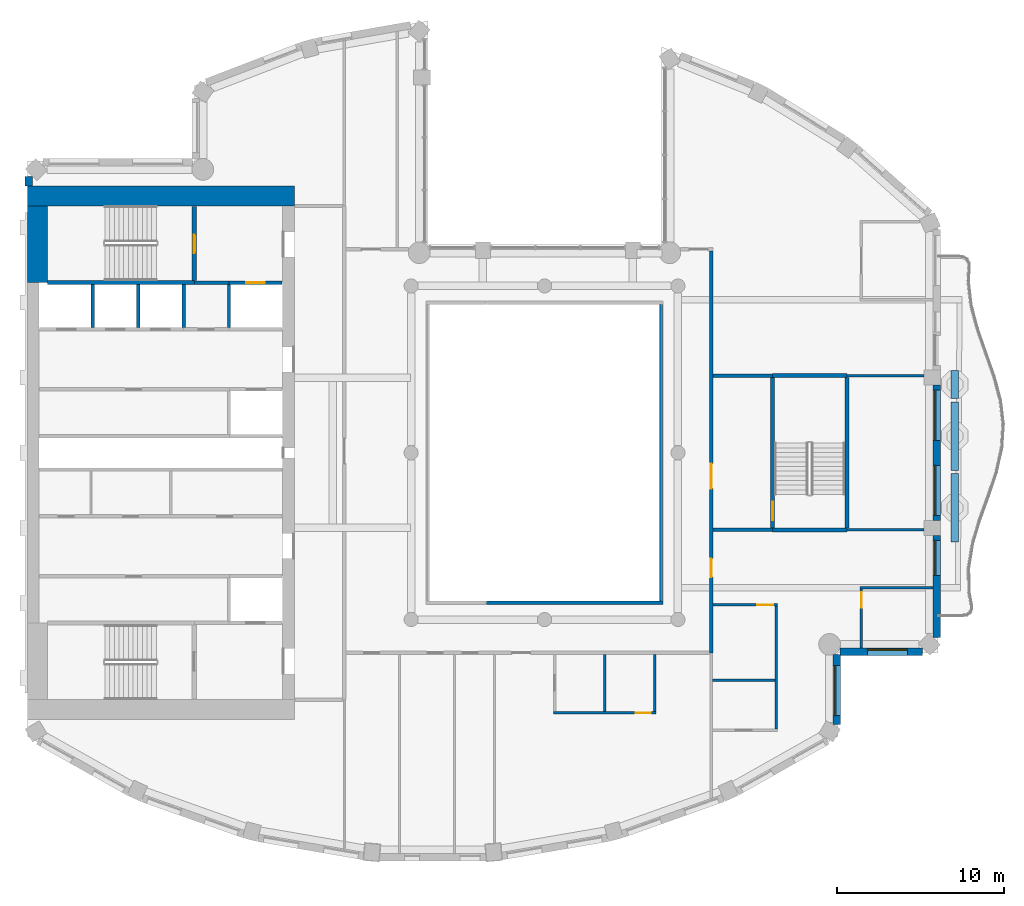
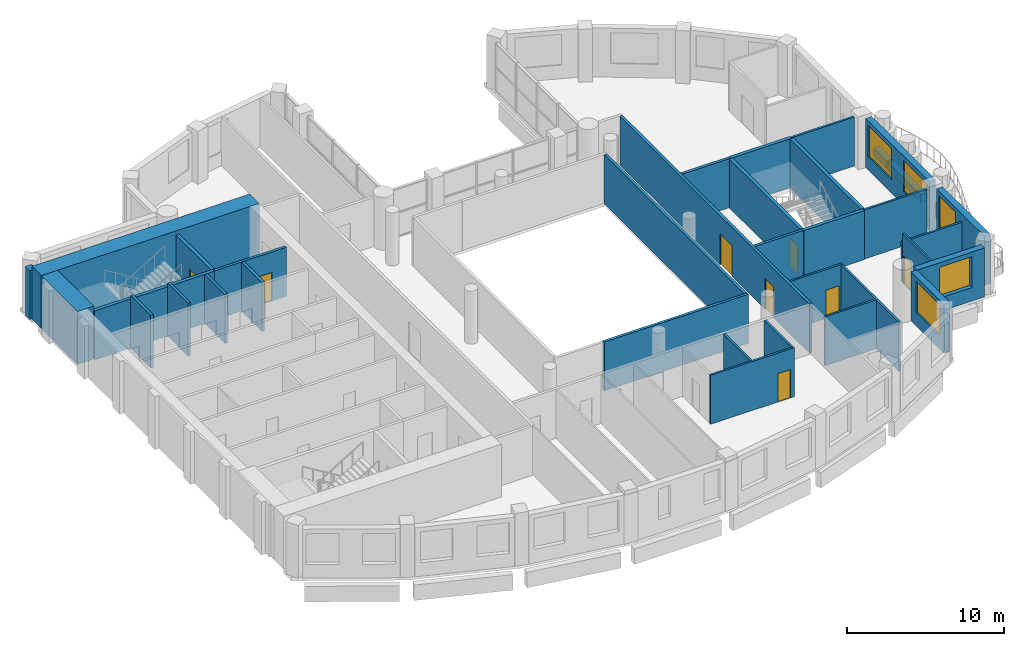
# One storey, part 6 of 14: 37 walls, 8 doors, 5 windows, 13 openings.
"""IFC4 building model written with IfcOpenShell, lengths in metres."""

from ifc_helpers import new_model, si_unit, direction, frame, frame_2d, origin, place, context, subcontext, project, spatial, rectangle, extrude, material, layer, layer_set, type_object, element, fill, save


model = new_model("IFC4")

# Units and contexts
model_context = context("Model", 3, precision=1e-05, world=origin(), true_north=direction((0.0, 1.0)))
body_context = subcontext(model_context, "Body", "Model", "MODEL_VIEW")
ifc_project = project(units=[si_unit("LENGTHUNIT", "METRE"), si_unit("AREAUNIT", "SQUARE_METRE"), si_unit("VOLUMEUNIT", "CUBIC_METRE"), si_unit("PLANEANGLEUNIT", "RADIAN"), si_unit("MASSUNIT", "GRAM", prefix="KILO")], contexts=[model_context])

# Site, building, storey
site_placement = place(None, origin())
site = spatial("IfcSite", under=ifc_project, at=site_placement, CompositionType="ELEMENT")
building_placement = place(site_placement, origin())
building = spatial("IfcBuilding", under=site, at=building_placement, Name="Cypress Arch Tower", CompositionType="ELEMENT")
storey_placement = place(building_placement, frame((0.0, 0.0, 280.300048828125)))
storey = spatial("IfcBuildingStorey", under=building, at=storey_placement, Name="L63", CompositionType="ELEMENT", Elevation=280.300048828125)

# Walls
ifc_material_1 = material(Name="Concrete C40/50, waterproofed", Category="concrete")
ifc_layer_1 = layer(ifc_material_1, 0.449951171875)
ifc_layer_set_1 = layer_set([ifc_layer_1], Name="Balcony planter wall PW450")
wall_type_1 = type_object("IfcWallType", Name="Balcony planter wall PW450", PredefinedType="SOLIDWALL", material=ifc_layer_set_1)
for number, where, z_axis, x_axis, name in (
    (1, (25.60009765625, -5.35009765625, 0.0), (0.0, 0.0, 1.0), (0.0, 1.0, 0.0), "Balcony planter wall L63-C17.1"),
    (2, (25.60009765625, -1.050048828125, 0.0), (0.0, 0.0, 1.0), (0.0, 1.0, 0.0), "Balcony planter wall L63-C17.2"),
):
    element("IfcWall", number, at=place(storey_placement, frame(where, z_axis=z_axis, x_axis=x_axis)), inside=storey, type_object=wall_type_1, Name=name, PredefinedType="SOLIDWALL", context=body_context, shape_type="SweptSolid", body=[
        extrude(rectangle(XDim=4.10009765625, YDim=0.449951171875, at=frame_2d((2.050048828125, 0.0))), origin(), (0.0, 0.0, 1.0), 0.599853515625),
    ])
wall_1_placement = place(storey_placement, frame((25.60009765625, 3.25, 0.0), z_axis=(0.0, 0.0, 1.0), x_axis=(0.0, 1.0, 0.0)))
element("IfcWall", 3, at=wall_1_placement, inside=storey, type_object=wall_type_1, Name="Balcony planter wall L63-C17.3", PredefinedType="SOLIDWALL", context=body_context, shape_type="SweptSolid", body=[
    extrude(rectangle(XDim=1.69140625, YDim=0.449951171875, at=frame_2d((0.845703125, 0.0))), origin(), (0.0, 0.0, 1.0), 0.599853515625),
])
ifc_material_2 = material(Name="Brick (red buff blend)", Category="masonry")
ifc_layer_2 = layer(ifc_material_2, 0.449951171875)
ifc_layer_set_2 = layer_set([ifc_layer_2], Name="Brick pier and spandrel wall BW450")
wall_type_2 = type_object("IfcWallType", Name="Brick pier and spandrel wall BW450", PredefinedType="SOLIDWALL", material=ifc_layer_set_2)
wall_2_placement = place(storey_placement, frame((-29.925048828125, 16.563720703125, 0.0), z_axis=(0.0, 0.0, 1.0), x_axis=(0.0, -1.0, 0.0)))
element("IfcWall", 4, at=wall_2_placement, inside=storey, type_object=wall_type_2, Name="Brick wall L63 C07.0", PredefinedType="SOLIDWALL", context=body_context, shape_type="SweptSolid", body=[
    extrude(rectangle(XDim=0.563720703125, YDim=0.449951171875, at=frame_2d((0.28173828125, 0.0))), origin(), (0.0, 0.0, 1.0), 3.800048828125),
])

# Wall, opening, window
wall_3_placement = place(storey_placement, frame((18.52490234375, -16.3037109375, 0.0), z_axis=(0.0, 0.0, 1.0), x_axis=(0.0, 1.0, 0.0)))
wall_3 = element("IfcWall", 5, at=wall_3_placement, inside=storey, type_object=wall_type_2, Name="Brick wall L63 C15.0", PredefinedType="SOLIDWALL", context=body_context, shape_type="SweptSolid", body=[
    extrude(rectangle(XDim=4.2021484375, YDim=0.449951171875, at=frame_2d((2.10107421875, 0.0))), origin(), (0.0, 0.0, 1.0), 3.800048828125),
])
opening_1_placement = place(wall_3_placement, frame((0.541259765625, 0.0, 1.050048828125)))
opening_1 = element("IfcOpeningElement", 6, at=opening_1_placement, cuts=wall_3, Name="Opening W300O", PredefinedType="OPENING", context=body_context, shape_type="SweptSolid", body=[
    extrude(rectangle(XDim=3.0, YDim=2.39990234375, at=frame_2d((1.5, 1.199951171875))), frame((0.0, 0.23486328125, 0.0), z_axis=(0.0, -1.0, 0.0), x_axis=(1.0, 0.0, 0.0)), (0.0, 0.0, 1.0), 0.469970703125),
])
ifc_material_3 = material(Name="Anodised aluminium, bronze finish, clear low-emissivity double glazing", Category="aluminium")
window_type_1 = type_object("IfcWindowType", Name="Window Office 3000x2400", PartitioningType="SINGLE_PANEL", PredefinedType="WINDOW", material=ifc_material_3)
window_1_placement = place(opening_1_placement, origin())
window_1 = element("IfcWindow", 7, at=window_1_placement, inside=storey, type_object=window_type_1, Name="Window L63 C15.0.1", OverallHeight=2.39990234375, OverallWidth=3.0, PartitioningType="SINGLE_PANEL", PredefinedType="WINDOW", context=body_context, shape_type="SweptSolid", body=[
    extrude(rectangle(XDim=3.0, YDim=2.39990234375, at=frame_2d((1.5, 1.199951171875))), frame((0.0, 0.135009765625, 0.0), z_axis=(0.0, -1.0, 0.0), x_axis=(1.0, 0.0, 0.0)), (0.0, 0.0, 1.0), 0.06005859375),
])
fill(opening_1, window_1)

wall_4_placement = place(storey_placement, frame((18.701416015625, -11.925048828125, 0.0), z_axis=(0.0, 0.0, 1.0), x_axis=(1.0, 0.0, 0.0)))
wall_4 = element("IfcWall", 8, at=wall_4_placement, inside=storey, type_object=wall_type_2, Name="Brick wall L63 C16.0", PredefinedType="SOLIDWALL", context=body_context, shape_type="SweptSolid", body=[
    extrude(rectangle(XDim=4.962158203125, YDim=0.449951171875, at=frame_2d((2.48095703125, 0.0))), origin(), (0.0, 0.0, 1.0), 3.800048828125),
])
opening_2_placement = place(wall_4_placement, frame((1.6484375, 0.0, 1.050048828125)))
opening_2 = element("IfcOpeningElement", 9, at=opening_2_placement, cuts=wall_4, Name="Opening W240O", PredefinedType="OPENING", context=body_context, shape_type="SweptSolid", body=[
    extrude(rectangle(XDim=2.39990234375, YDim=2.39990234375, at=frame_2d((1.199951171875, 1.199951171875))), frame((0.0, 0.23486328125, 0.0), z_axis=(0.0, -1.0, 0.0), x_axis=(1.0, 0.0, 0.0)), (0.0, 0.0, 1.0), 0.469970703125),
])
ifc_material_4 = material(Name="Anodised aluminium, bronze finish, clear low-emissivity double glazing", Category="aluminium")
window_type_2 = type_object("IfcWindowType", Name="Window Office 2400x2400", PartitioningType="SINGLE_PANEL", PredefinedType="WINDOW", material=ifc_material_4)
window_2_placement = place(opening_2_placement, origin())
window_2 = element("IfcWindow", 10, at=window_2_placement, inside=storey, type_object=window_type_2, Name="Window L63 C16.0.1", OverallHeight=2.39990234375, OverallWidth=2.39990234375, PartitioningType="SINGLE_PANEL", PredefinedType="WINDOW", context=body_context, shape_type="SweptSolid", body=[
    extrude(rectangle(XDim=2.39990234375, YDim=2.39990234375, at=frame_2d((1.199951171875, 1.199951171875))), frame((0.0, 0.135009765625, 0.0), z_axis=(0.0, -1.0, 0.0), x_axis=(1.0, 0.0, 0.0)), (0.0, 0.0, 1.0), 0.06005859375),
])
fill(opening_2, window_2)

wall_5_placement = place(storey_placement, frame((24.52490234375, -11.063720703125, 0.0), z_axis=(0.0, 0.0, 1.0), x_axis=(0.0, 1.0, 0.0)))
wall_5 = element("IfcWall", 11, at=wall_5_placement, inside=storey, type_object=wall_type_2, Name="Brick wall L63 C17.0", PredefinedType="SOLIDWALL", context=body_context, shape_type="SweptSolid", body=[
    extrude(rectangle(XDim=6.11376953125, YDim=0.449951171875, at=frame_2d((3.056884765625, 0.0))), origin(), (0.0, 0.0, 1.0), 3.800048828125),
])
opening_3_placement = place(wall_5_placement, frame((3.713623046875, 0.0, 1.050048828125)))
opening_3 = element("IfcOpeningElement", 12, at=opening_3_placement, cuts=wall_5, Name="Opening W210OD", PredefinedType="OPENING", context=body_context, shape_type="SweptSolid", body=[
    extrude(rectangle(XDim=2.10009765625, YDim=2.39990234375, at=frame_2d((1.050048828125, 1.199951171875))), frame((0.0, 0.23486328125, 0.0), z_axis=(0.0, -1.0, 0.0), x_axis=(1.0, 0.0, 0.0)), (0.0, 0.0, 1.0), 0.469970703125),
])
ifc_material_5 = material(Name="Anodised aluminium, bronze finish, laminated low-emissivity double glazing, large-missile impact rated", Category="aluminium")
window_type_3 = type_object("IfcWindowType", Name="Window Office 2100x2400 debris-rated", PartitioningType="SINGLE_PANEL", PredefinedType="WINDOW", material=ifc_material_5)
window_3_placement = place(opening_3_placement, origin())
window_3 = element("IfcWindow", 13, at=window_3_placement, inside=storey, type_object=window_type_3, Name="Window L63 C17.0.2", OverallHeight=2.39990234375, OverallWidth=2.10009765625, PartitioningType="SINGLE_PANEL", PredefinedType="WINDOW", context=body_context, shape_type="SweptSolid", body=[
    extrude(rectangle(XDim=2.10009765625, YDim=2.39990234375, at=frame_2d((1.050048828125, 1.199951171875))), frame((0.0, 0.135009765625, 0.0), z_axis=(0.0, -1.0, 0.0), x_axis=(1.0, 0.0, 0.0)), (0.0, 0.0, 1.0), 0.06005859375),
])
fill(opening_3, window_3)

# Wall, openings, windows
wall_6_placement = place(storey_placement, frame((24.52490234375, -4.050048828125, 0.0), z_axis=(0.0, 0.0, 1.0), x_axis=(0.0, 1.0, 0.0)))
wall_6 = element("IfcWall", 14, at=wall_6_placement, inside=storey, type_object=wall_type_2, Name="Brick wall L63 C17.1", PredefinedType="SOLIDWALL", context=body_context, shape_type="SweptSolid", body=[
    extrude(rectangle(XDim=8.10009765625, YDim=0.449951171875, at=frame_2d((4.050048828125, 0.0))), origin(), (0.0, 0.0, 1.0), 3.800048828125),
])
opening_4_placement = place(wall_6_placement, frame((0.300048828125, 0.0, 1.050048828125)))
opening_4 = element("IfcOpeningElement", 15, at=opening_4_placement, cuts=wall_6, Name="Opening W300OD", PredefinedType="OPENING", context=body_context, shape_type="SweptSolid", body=[
    extrude(rectangle(XDim=3.0, YDim=2.39990234375, at=frame_2d((1.5, 1.199951171875))), frame((0.0, 0.23486328125, 0.0), z_axis=(0.0, -1.0, 0.0), x_axis=(1.0, 0.0, 0.0)), (0.0, 0.0, 1.0), 0.469970703125),
])
opening_5_placement = place(wall_6_placement, frame((4.800048828125, 0.0, 1.050048828125)))
opening_5 = element("IfcOpeningElement", 16, at=opening_5_placement, cuts=wall_6, Name="Opening W300OD", PredefinedType="OPENING", context=body_context, shape_type="SweptSolid", body=[
    extrude(rectangle(XDim=3.0, YDim=2.39990234375, at=frame_2d((1.5, 1.199951171875))), frame((0.0, 0.23486328125, 0.0), z_axis=(0.0, -1.0, 0.0), x_axis=(1.0, 0.0, 0.0)), (0.0, 0.0, 1.0), 0.469970703125),
])
ifc_material_6 = material(Name="Anodised aluminium, bronze finish, laminated low-emissivity double glazing, large-missile impact rated", Category="aluminium")
window_type_4 = type_object("IfcWindowType", Name="Window Office 3000x2400 debris-rated", PartitioningType="SINGLE_PANEL", PredefinedType="WINDOW", material=ifc_material_6)
window_4_placement = place(opening_4_placement, origin())
window_4 = element("IfcWindow", 17, at=window_4_placement, inside=storey, type_object=window_type_4, Name="Window L63 C17.1.1", OverallHeight=2.39990234375, OverallWidth=3.0, PartitioningType="SINGLE_PANEL", PredefinedType="WINDOW", context=body_context, shape_type="SweptSolid", body=[
    extrude(rectangle(XDim=3.0, YDim=2.39990234375, at=frame_2d((1.5, 1.199951171875))), frame((0.0, 0.135009765625, 0.0), z_axis=(0.0, -1.0, 0.0), x_axis=(1.0, 0.0, 0.0)), (0.0, 0.0, 1.0), 0.06005859375),
])
fill(opening_4, window_4)
window_5_placement = place(opening_5_placement, origin())
window_5 = element("IfcWindow", 18, at=window_5_placement, inside=storey, type_object=window_type_4, Name="Window L63 C17.1.2", OverallHeight=2.39990234375, OverallWidth=3.0, PartitioningType="SINGLE_PANEL", PredefinedType="WINDOW", context=body_context, shape_type="SweptSolid", body=[
    extrude(rectangle(XDim=3.0, YDim=2.39990234375, at=frame_2d((1.5, 1.199951171875))), frame((0.0, 0.135009765625, 0.0), z_axis=(0.0, -1.0, 0.0), x_axis=(1.0, 0.0, 0.0)), (0.0, 0.0, 1.0), 0.06005859375),
])
fill(opening_5, window_5)

# Walls
ifc_material_7 = material(Name="Concrete C60/75", Category="concrete")
ifc_layer_3 = layer(ifc_material_7, 1.199951171875)
ifc_layer_set_3 = layer_set([ifc_layer_3], Name="Core wall CW1200 C60/75")
wall_type_3 = type_object("IfcWallType", Name="Core wall CW1200 C60/75", PredefinedType="SHEAR", material=ifc_layer_set_3)
wall_7_placement = place(storey_placement, frame((-30.0, 15.39990234375, 0.0), z_axis=(0.0, 0.0, 1.0), x_axis=(1.0, 0.0, 0.0)))
element("IfcWall", 19, at=wall_7_placement, inside=storey, type_object=wall_type_3, Name="Core wall", PredefinedType="SHEAR", context=body_context, shape_type="SweptSolid", body=[
    extrude(rectangle(XDim=16.0, YDim=1.199951171875, at=frame_2d((8.0, 0.0))), origin(), (0.0, 0.0, 1.0), 4.099853515625),
])
wall_8_placement = place(storey_placement, frame((-29.39990234375, 10.199951171875, 0.0), z_axis=(0.0, 0.0, 1.0), x_axis=(0.0, 1.0, 0.0)))
element("IfcWall", 20, at=wall_8_placement, inside=storey, type_object=wall_type_3, Name="Core wall", PredefinedType="SHEAR", context=body_context, shape_type="SweptSolid", body=[
    extrude(rectangle(XDim=4.60009765625, YDim=1.199951171875, at=frame_2d((2.300048828125, 0.0))), origin(), (0.0, 0.0, 1.0), 4.099853515625),
])
ifc_material_8 = material(Name="Concrete blockwork, plastered, rated", Category="masonry")
ifc_layer_4 = layer(ifc_material_8, 0.199951171875)
ifc_layer_set_4 = layer_set([ifc_layer_4], Name="Corridor wall FW200")
wall_type_4 = type_object("IfcWallType", Name="Corridor wall FW200", PredefinedType="PARTITIONING", material=ifc_layer_set_4)
wall_9_placement = place(storey_placement, frame((-20.0, 10.199951171875, 0.0), z_axis=(0.0, 0.0, 1.0), x_axis=(1.0, 0.0, 0.0)))
element("IfcWall", 21, at=wall_9_placement, inside=storey, type_object=wall_type_4, Name="Corridor wall", PredefinedType="PARTITIONING", context=body_context, shape_type="SweptSolid", body=[
    extrude(rectangle(XDim=2.080078125, YDim=0.199951171875, at=frame_2d((1.0400390625, 0.0))), origin(), (0.0, 0.0, 1.0), 3.800048828125),
])
wall_10_placement = place(storey_placement, frame((-2.47998046875, -9.0, 0.0), z_axis=(0.0, 0.0, 1.0), x_axis=(1.0, 0.0, 0.0)))
element("IfcWall", 22, at=wall_10_placement, inside=storey, type_object=wall_type_4, Name="Corridor wall", PredefinedType="PARTITIONING", context=body_context, shape_type="SweptSolid", body=[
    extrude(rectangle(XDim=10.580078125, YDim=0.199951171875, at=frame_2d((5.2900390625, 0.0))), origin(), (0.0, 0.0, 1.0), 3.800048828125),
])
wall_11_placement = place(storey_placement, frame((8.0, -8.89990234375, 0.0), z_axis=(0.0, 0.0, 1.0), x_axis=(0.0, 1.0, 0.0)))
element("IfcWall", 23, at=wall_11_placement, inside=storey, type_object=wall_type_4, Name="Corridor wall", PredefinedType="PARTITIONING", context=body_context, shape_type="SweptSolid", body=[
    extrude(rectangle(XDim=17.7998046875, YDim=0.199951171875, at=frame_2d((8.89990234375, 0.0))), origin(), (0.0, 0.0, 1.0), 3.800048828125),
])

# Wall, openings, doors
wall_12_placement = place(storey_placement, frame((11.0, -12.0, 0.0), z_axis=(0.0, 0.0, 1.0), x_axis=(0.0, 1.0, 0.0)))
wall_12 = element("IfcWall", 24, at=wall_12_placement, inside=storey, type_object=wall_type_4, Name="Corridor wall", PredefinedType="PARTITIONING", context=body_context, shape_type="SweptSolid", body=[
    extrude(rectangle(XDim=24.10009765625, YDim=0.199951171875, at=frame_2d((12.050048828125, 0.0))), origin(), (0.0, 0.0, 1.0), 3.800048828125),
])
opening_6_placement = place(wall_12_placement, frame((9.85009765625, 0.0, 0.0)))
opening_6 = element("IfcOpeningElement", 25, at=opening_6_placement, cuts=wall_12, Name="Opening D07", PredefinedType="OPENING", context=body_context, shape_type="SweptSolid", body=[
    extrude(rectangle(XDim=1.5, YDim=2.39990234375, at=frame_2d((0.75, 1.199951171875))), frame((0.0, 0.10986328125, 0.0), z_axis=(0.0, -1.0, 0.0), x_axis=(1.0, 0.0, 0.0)), (0.0, 0.0, 1.0), 0.219970703125),
])
opening_7_placement = place(wall_12_placement, frame((4.550048828125, 0.0, 0.0)))
opening_7 = element("IfcOpeningElement", 26, at=opening_7_placement, cuts=wall_12, Name="Opening D01", PredefinedType="OPENING", context=body_context, shape_type="SweptSolid", body=[
    extrude(rectangle(XDim=1.10009765625, YDim=2.39990234375, at=frame_2d((0.550048828125, 1.199951171875))), frame((0.0, 0.10986328125, 0.0), z_axis=(0.0, -1.0, 0.0), x_axis=(1.0, 0.0, 0.0)), (0.0, 0.0, 1.0), 0.219970703125),
])
ifc_material_9 = material(Name="Steel framed glazed door, fire resisting", Category="steel")
door_type_1 = type_object("IfcDoorType", Name="Lobby door D07 1500x2400", OperationType="DOUBLE_DOOR_SINGLE_SWING", PredefinedType="DOOR", material=ifc_material_9)
door_1_placement = place(opening_6_placement, origin())
door_1 = element("IfcDoor", 27, at=door_1_placement, inside=storey, type_object=door_type_1, Name="Lobby door", OperationType="DOUBLE_DOOR_SINGLE_SWING", OverallHeight=2.39990234375, OverallWidth=1.5, PredefinedType="DOOR", context=body_context, shape_type="SweptSolid", body=[
    extrude(rectangle(XDim=1.5, YDim=2.39990234375, at=frame_2d((0.75, 1.199951171875))), frame((0.0, 0.02490234375, 0.0), z_axis=(0.0, -1.0, 0.0), x_axis=(1.0, 0.0, 0.0)), (0.0, 0.0, 1.0), 0.050048828125),
])
fill(opening_6, door_1)
ifc_material_10 = material(Name="Timber flush door, fire resisting, self-closing", Category="wood")
door_type_2 = type_object("IfcDoorType", Name="Unit entrance door D01 1100x2400", OperationType="SINGLE_SWING_LEFT", PredefinedType="DOOR", material=ifc_material_10)
door_2_placement = place(opening_7_placement, origin())
door_2 = element("IfcDoor", 28, at=door_2_placement, inside=storey, type_object=door_type_2, Name="Unit entrance door", OperationType="SINGLE_SWING_RIGHT", OverallHeight=2.39990234375, OverallWidth=1.10009765625, PredefinedType="DOOR", context=body_context, shape_type="SweptSolid", body=[
    extrude(rectangle(XDim=1.10009765625, YDim=2.39990234375, at=frame_2d((0.550048828125, 1.199951171875))), frame((0.0, 0.02490234375, 0.0), z_axis=(0.0, -1.0, 0.0), x_axis=(1.0, 0.0, 0.0)), (0.0, 0.0, 1.0), 0.050048828125),
])
fill(opening_7, door_2)

# Walls
for number, where, z_axis, x_axis, name in (
    (29, (11.10009765625, -4.625, 0.0), (0.0, 0.0, 1.0), (1.0, 0.0, 0.0), "Corridor wall"),
    (30, (11.10009765625, 4.625, 0.0), (0.0, 0.0, 1.0), (1.0, 0.0, 0.0), "Corridor wall"),
):
    element("IfcWall", number, at=place(storey_placement, frame(where, z_axis=z_axis, x_axis=x_axis)), inside=storey, type_object=wall_type_4, Name=name, PredefinedType="PARTITIONING", context=body_context, shape_type="SweptSolid", body=[
        extrude(rectangle(XDim=3.574951171875, YDim=0.199951171875, at=frame_2d((1.78759765625, 0.0))), origin(), (0.0, 0.0, 1.0), 3.800048828125),
    ])

# Wall, opening, door
ifc_material_11 = material(Name="Blockwork, plastered both sides", Category="masonry")
ifc_layer_5 = layer(ifc_material_11, 0.14990234375)
ifc_layer_set_5 = layer_set([ifc_layer_5], Name="Partition PW150")
wall_type_5 = type_object("IfcWallType", Name="Partition PW150", PredefinedType="PARTITIONING", material=ifc_layer_set_5)
wall_13_placement = place(storey_placement, frame((1.52587890625, -15.60009765625, 0.0), z_axis=(0.0, 0.0, 1.0), x_axis=(1.0, 0.0, 0.0)))
wall_13 = element("IfcWall", 31, at=wall_13_placement, inside=storey, type_object=wall_type_5, Name="Partition", PredefinedType="PARTITIONING", context=body_context, shape_type="SweptSolid", body=[
    extrude(rectangle(XDim=6.150146484375, YDim=0.14990234375, at=frame_2d((3.0751953125, 0.0))), origin(), (0.0, 0.0, 1.0), 3.800048828125),
])
opening_8_placement = place(wall_13_placement, frame((4.949951171875, 0.0, 0.0)))
opening_8 = element("IfcOpeningElement", 32, at=opening_8_placement, cuts=wall_13, Name="Opening D05", PredefinedType="OPENING", context=body_context, shape_type="SweptSolid", body=[
    extrude(rectangle(XDim=0.89990234375, YDim=2.199951171875, at=frame_2d((0.449951171875, 1.10009765625))), frame((0.0, 0.0849609375, 0.0), z_axis=(0.0, -1.0, 0.0), x_axis=(1.0, 0.0, 0.0)), (0.0, 0.0, 1.0), 0.169921875),
])
ifc_material_12 = material(Name="Timber flush door", Category="wood")
door_type_3 = type_object("IfcDoorType", Name="Service door D05 900x2200", OperationType="SINGLE_SWING_LEFT", PredefinedType="DOOR", material=ifc_material_12)
door_3_placement = place(opening_8_placement, origin())
door_3 = element("IfcDoor", 33, at=door_3_placement, inside=storey, type_object=door_type_3, Name="Service door", OperationType="SINGLE_SWING_RIGHT", OverallHeight=2.199951171875, OverallWidth=0.89990234375, PredefinedType="DOOR", context=body_context, shape_type="SweptSolid", body=[
    extrude(rectangle(XDim=0.89990234375, YDim=2.199951171875, at=frame_2d((0.449951171875, 1.10009765625))), frame((0.0, 0.02490234375, 0.0), z_axis=(0.0, -1.0, 0.0), x_axis=(1.0, 0.0, 0.0)), (0.0, 0.0, 1.0), 0.050048828125),
])
fill(opening_8, door_3)

# Walls
for number, where, z_axis, x_axis, name in (
    (34, (4.60107421875, -15.52490234375, 0.0), (0.0, 0.0, 1.0), (0.0, 1.0, 0.0), "Partition"),
    (35, (7.60107421875, -15.52490234375, 0.0), (0.0, 0.0, 1.0), (0.0, 1.0, 0.0), "Partition"),
):
    element("IfcWall", number, at=place(storey_placement, frame(where, z_axis=z_axis, x_axis=x_axis)), inside=storey, type_object=wall_type_5, Name=name, PredefinedType="PARTITIONING", context=body_context, shape_type="SweptSolid", body=[
        extrude(rectangle(XDim=3.4248046875, YDim=0.14990234375, at=frame_2d((1.71240234375, 0.0))), origin(), (0.0, 0.0, 1.0), 3.800048828125),
    ])
wall_14_placement = place(storey_placement, frame((11.074951171875, -13.625, 0.0), z_axis=(0.0, 0.0, 1.0), x_axis=(1.0, 0.0, 0.0)))
element("IfcWall", 36, at=wall_14_placement, inside=storey, type_object=wall_type_5, Name="Partition", PredefinedType="PARTITIONING", context=body_context, shape_type="SweptSolid", body=[
    extrude(rectangle(XDim=3.75, YDim=0.14990234375, at=frame_2d((1.875, 0.0))), origin(), (0.0, 0.0, 1.0), 3.800048828125),
])

# Wall, opening, door
wall_15_placement = place(storey_placement, frame((11.10009765625, -9.125, 0.0), z_axis=(0.0, 0.0, 1.0), x_axis=(1.0, 0.0, 0.0)))
wall_15 = element("IfcWall", 37, at=wall_15_placement, inside=storey, type_object=wall_type_5, Name="Partition", PredefinedType="PARTITIONING", context=body_context, shape_type="SweptSolid", body=[
    extrude(rectangle(XDim=3.875, YDim=0.14990234375, at=frame_2d((1.9375, 0.0))), origin(), (0.0, 0.0, 1.0), 3.800048828125),
])
opening_9_placement = place(wall_15_placement, frame((2.64990234375, 0.0, 0.0)))
opening_9 = element("IfcOpeningElement", 38, at=opening_9_placement, cuts=wall_15, Name="Opening D12", PredefinedType="OPENING", context=body_context, shape_type="SweptSolid", body=[
    extrude(rectangle(XDim=0.949951171875, YDim=2.199951171875, at=frame_2d((0.47509765625, 1.10009765625))), frame((0.0, 0.0849609375, 0.0), z_axis=(0.0, -1.0, 0.0), x_axis=(1.0, 0.0, 0.0)), (0.0, 0.0, 1.0), 0.169921875),
])
ifc_material_13 = material(Name="Timber flush door", Category="wood")
door_type_4 = type_object("IfcDoorType", Name="Room door D12 950x2200", OperationType="SINGLE_SWING_LEFT", PredefinedType="DOOR", material=ifc_material_13)
door_4_placement = place(opening_9_placement, origin())
door_4 = element("IfcDoor", 39, at=door_4_placement, inside=storey, type_object=door_type_4, Name="Room door", OperationType="SINGLE_SWING_LEFT", OverallHeight=2.199951171875, OverallWidth=0.949951171875, PredefinedType="DOOR", context=body_context, shape_type="SweptSolid", body=[
    extrude(rectangle(XDim=0.949951171875, YDim=2.199951171875, at=frame_2d((0.47509765625, 1.10009765625))), frame((0.0, 0.02490234375, 0.0), z_axis=(0.0, -1.0, 0.0), x_axis=(1.0, 0.0, 0.0)), (0.0, 0.0, 1.0), 0.050048828125),
])
fill(opening_9, door_4)

# Walls
wall_16_placement = place(storey_placement, frame((14.89990234375, -16.550048828125, 0.0), z_axis=(0.0, 0.0, 1.0), x_axis=(0.0, 1.0, 0.0)))
element("IfcWall", 40, at=wall_16_placement, inside=storey, type_object=wall_type_5, Name="Partition", PredefinedType="PARTITIONING", context=body_context, shape_type="SweptSolid", body=[
    extrude(rectangle(XDim=7.35009765625, YDim=0.14990234375, at=frame_2d((3.675048828125, 0.0))), origin(), (0.0, 0.0, 1.0), 3.800048828125),
])
for number, where, z_axis, x_axis, name in (
    (41, (19.14501953125, -4.625, 0.0), (0.0, 0.0, 1.0), (1.0, 0.0, 0.0), "Partition"),
    (42, (19.14501953125, 4.625, 0.0), (0.0, 0.0, 1.0), (1.0, 0.0, 0.0), "Partition"),
):
    element("IfcWall", number, at=place(storey_placement, frame(where, z_axis=z_axis, x_axis=x_axis)), inside=storey, type_object=wall_type_5, Name=name, PredefinedType="PARTITIONING", context=body_context, shape_type="SweptSolid", body=[
        extrude(rectangle(XDim=4.60498046875, YDim=0.14990234375, at=frame_2d((2.302490234375, 0.0))), origin(), (0.0, 0.0, 1.0), 3.800048828125),
    ])

# Wall, opening, door
wall_17_placement = place(storey_placement, frame((20.0, -11.699951171875, 0.0), z_axis=(0.0, 0.0, 1.0), x_axis=(0.0, 1.0, 0.0)))
wall_17 = element("IfcWall", 43, at=wall_17_placement, inside=storey, type_object=wall_type_5, Name="Partition", PredefinedType="PARTITIONING", context=body_context, shape_type="SweptSolid", body=[
    extrude(rectangle(XDim=3.52490234375, YDim=0.14990234375, at=frame_2d((1.762451171875, 0.0))), origin(), (0.0, 0.0, 1.0), 3.800048828125),
])
opening_10_placement = place(wall_17_placement, frame((2.39990234375, 0.0, 0.0)))
opening_10 = element("IfcOpeningElement", 44, at=opening_10_placement, cuts=wall_17, Name="Opening D12", PredefinedType="OPENING", context=body_context, shape_type="SweptSolid", body=[
    extrude(rectangle(XDim=0.949951171875, YDim=2.199951171875, at=frame_2d((0.47509765625, 1.10009765625))), frame((0.0, 0.0849609375, 0.0), z_axis=(0.0, -1.0, 0.0), x_axis=(1.0, 0.0, 0.0)), (0.0, 0.0, 1.0), 0.169921875),
])
door_5_placement = place(opening_10_placement, origin())
door_5 = element("IfcDoor", 45, at=door_5_placement, inside=storey, type_object=door_type_4, Name="Room door", OperationType="SINGLE_SWING_RIGHT", OverallHeight=2.199951171875, OverallWidth=0.949951171875, PredefinedType="DOOR", context=body_context, shape_type="SweptSolid", body=[
    extrude(rectangle(XDim=0.949951171875, YDim=2.199951171875, at=frame_2d((0.47509765625, 1.10009765625))), frame((0.0, 0.02490234375, 0.0), z_axis=(0.0, -1.0, 0.0), x_axis=(1.0, 0.0, 0.0)), (0.0, 0.0, 1.0), 0.050048828125),
])
fill(opening_10, door_5)

# Walls
wall_18_placement = place(storey_placement, frame((19.925048828125, -8.10009765625, 0.0), z_axis=(0.0, 0.0, 1.0), x_axis=(1.0, 0.0, 0.0)))
element("IfcWall", 46, at=wall_18_placement, inside=storey, type_object=wall_type_5, Name="Partition", PredefinedType="PARTITIONING", context=body_context, shape_type="SweptSolid", body=[
    extrude(rectangle(XDim=4.375, YDim=0.14990234375, at=frame_2d((2.1875, 0.0))), origin(), (0.0, 0.0, 1.0), 3.14990234375),
])
ifc_material_14 = material(Name="Concrete C50/60", Category="concrete")
ifc_layer_6 = layer(ifc_material_14, 0.199951171875)
ifc_layer_set_6 = layer_set([ifc_layer_6], Name="Shaft wall SH200")
wall_type_6 = type_object("IfcWallType", Name="Shaft wall SH200", PredefinedType="SHEAR", material=ifc_layer_set_6)
for number, where, z_axis, x_axis, name in (
    (47, (-26.080078125, 7.5, 0.0), (0.0, 0.0, 1.0), (0.0, 1.0, 0.0), "Shaft wall"),
    (48, (-23.360107421875, 7.5, 0.0), (0.0, 0.0, 1.0), (0.0, 1.0, 0.0), "Shaft wall"),
):
    element("IfcWall", number, at=place(storey_placement, frame(where, z_axis=z_axis, x_axis=x_axis)), inside=storey, type_object=wall_type_6, Name=name, PredefinedType="SHEAR", context=body_context, shape_type="SweptSolid", body=[
        extrude(rectangle(XDim=2.574951171875, YDim=0.199951171875, at=frame_2d((1.28759765625, 0.0))), origin(), (0.0, 0.0, 1.0), 4.099853515625),
    ])
wall_19_placement = place(storey_placement, frame((-20.639892578125, 7.5, 0.0), z_axis=(0.0, 0.0, 1.0), x_axis=(0.0, 1.0, 0.0)))
element("IfcWall", 49, at=wall_19_placement, inside=storey, type_object=wall_type_6, Name="Shaft wall", PredefinedType="SHEAR", context=body_context, shape_type="SweptSolid", body=[
    extrude(rectangle(XDim=2.574951171875, YDim=0.199951171875, at=frame_2d((1.28759765625, 0.0))), origin(), (0.0, 0.0, 1.0), 3.800048828125),
])
wall_20_placement = place(storey_placement, frame((-17.919921875, 7.5, 0.0), z_axis=(0.0, 0.0, 1.0), x_axis=(0.0, 1.0, 0.0)))
element("IfcWall", 50, at=wall_20_placement, inside=storey, type_object=wall_type_6, Name="Shaft wall", PredefinedType="SHEAR", context=body_context, shape_type="SweptSolid", body=[
    extrude(rectangle(XDim=2.60009765625, YDim=0.199951171875, at=frame_2d((1.300048828125, 0.0))), origin(), (0.0, 0.0, 1.0), 3.800048828125),
])

# Wall, opening, door
wall_21_placement = place(storey_placement, frame((-17.919921875, 10.199951171875, 0.0), z_axis=(0.0, 0.0, 1.0), x_axis=(1.0, 0.0, 0.0)))
wall_21 = element("IfcWall", 51, at=wall_21_placement, inside=storey, type_object=wall_type_6, Name="Shaft wall", PredefinedType="SHEAR", context=body_context, shape_type="SweptSolid", body=[
    extrude(rectangle(XDim=3.18994140625, YDim=0.199951171875, at=frame_2d((1.594970703125, 0.0))), origin(), (0.0, 0.0, 1.0), 3.800048828125),
])
opening_11_placement = place(wall_21_placement, frame((1.050048828125, 0.0, 0.0)))
opening_11 = element("IfcOpeningElement", 52, at=opening_11_placement, cuts=wall_21, Name="Opening LD-FL2", PredefinedType="OPENING", context=body_context, shape_type="SweptSolid", body=[
    extrude(rectangle(XDim=1.10009765625, YDim=2.199951171875, at=frame_2d((0.550048828125, 1.10009765625))), frame((0.0, 0.10986328125, 0.0), z_axis=(0.0, -1.0, 0.0), x_axis=(1.0, 0.0, 0.0)), (0.0, 0.0, 1.0), 0.219970703125),
])
ifc_material_15 = material(Name="Stainless steel centre-opening landing door, rated", Category="steel")
door_type_5 = type_object("IfcDoorType", Name="Lift landing door LD 1100x2200", OperationType="DOUBLE_DOOR_SLIDING", PredefinedType="DOOR", material=ifc_material_15)
door_6_placement = place(opening_11_placement, origin())
door_6 = element("IfcDoor", 53, at=door_6_placement, inside=storey, type_object=door_type_5, Name="Lift landing doors FL2", OperationType="DOUBLE_DOOR_SLIDING", OverallHeight=2.199951171875, OverallWidth=1.10009765625, PredefinedType="DOOR", context=body_context, shape_type="SweptSolid", body=[
    extrude(rectangle(XDim=1.10009765625, YDim=2.199951171875, at=frame_2d((0.550048828125, 1.10009765625))), frame((0.0, 0.02490234375, 0.0), z_axis=(0.0, -1.0, 0.0), x_axis=(1.0, 0.0, 0.0)), (0.0, 0.0, 1.0), 0.050048828125),
])
fill(opening_11, door_6)

# Wall
ifc_material_16 = material(Name="Concrete C50/60", Category="concrete")
ifc_layer_7 = layer(ifc_material_16, 0.25)
ifc_layer_set_7 = layer_set([ifc_layer_7], Name="Stair enclosure wall SW250")
wall_type_7 = type_object("IfcWallType", Name="Stair enclosure wall SW250", PredefinedType="SHEAR", material=ifc_layer_set_7)
wall_22_placement = place(storey_placement, frame((-28.81005859375, 10.199951171875, 0.0), z_axis=(0.0, 0.0, 1.0), x_axis=(1.0, 0.0, 0.0)))
element("IfcWall", 54, at=wall_22_placement, inside=storey, type_object=wall_type_7, Name="Stair enclosure wall", PredefinedType="SHEAR", context=body_context, shape_type="SweptSolid", body=[
    extrude(rectangle(XDim=8.81005859375, YDim=0.25, at=frame_2d((4.405029296875, 0.0))), origin(), (0.0, 0.0, 1.0), 3.800048828125),
])

# Wall, opening, door
wall_23_placement = place(storey_placement, frame((-20.0, 10.324951171875, 0.0), z_axis=(0.0, 0.0, 1.0), x_axis=(0.0, 1.0, 0.0)))
wall_23 = element("IfcWall", 55, at=wall_23_placement, inside=storey, type_object=wall_type_7, Name="Stair enclosure wall", PredefinedType="SHEAR", context=body_context, shape_type="SweptSolid", body=[
    extrude(rectangle(XDim=4.445068359375, YDim=0.25, at=frame_2d((2.22265625, 0.0))), origin(), (0.0, 0.0, 1.0), 3.800048828125),
])
opening_12_placement = place(wall_23_placement, frame((1.64990234375, 0.0, 0.0)))
opening_12 = element("IfcOpeningElement", 56, at=opening_12_placement, cuts=wall_23, Name="Opening D06", PredefinedType="OPENING", context=body_context, shape_type="SweptSolid", body=[
    extrude(rectangle(XDim=1.10009765625, YDim=2.199951171875, at=frame_2d((0.550048828125, 1.10009765625))), frame((0.0, 0.135009765625, 0.0), z_axis=(0.0, -1.0, 0.0), x_axis=(1.0, 0.0, 0.0)), (0.0, 0.0, 1.0), 0.27001953125),
])
ifc_material_17 = material(Name="Steel door, fire resisting, panic bar", Category="steel")
door_type_6 = type_object("IfcDoorType", Name="Stair door D06 1100x2200", OperationType="SINGLE_SWING_LEFT", PredefinedType="DOOR", material=ifc_material_17)
door_7_placement = place(opening_12_placement, origin())
door_7 = element("IfcDoor", 57, at=door_7_placement, inside=storey, type_object=door_type_6, Name="Stair door", OperationType="SINGLE_SWING_LEFT", OverallHeight=2.199951171875, OverallWidth=1.10009765625, PredefinedType="DOOR", context=body_context, shape_type="SweptSolid", body=[
    extrude(rectangle(XDim=1.10009765625, YDim=2.199951171875, at=frame_2d((0.550048828125, 1.10009765625))), frame((0.0, 0.02490234375, 0.0), z_axis=(0.0, -1.0, 0.0), x_axis=(1.0, 0.0, 0.0)), (0.0, 0.0, 1.0), 0.050048828125),
])
fill(opening_12, door_7)

wall_24_placement = place(storey_placement, frame((14.675048828125, -4.5, 0.0), z_axis=(0.0, 0.0, 1.0), x_axis=(0.0, 1.0, 0.0)))
wall_24 = element("IfcWall", 58, at=wall_24_placement, inside=storey, type_object=wall_type_7, Name="Stair enclosure wall", PredefinedType="SHEAR", context=body_context, shape_type="SweptSolid", body=[
    extrude(rectangle(XDim=9.0, YDim=0.25, at=frame_2d((4.5, 0.0))), origin(), (0.0, 0.0, 1.0), 3.800048828125),
])
opening_13_placement = place(wall_24_placement, frame((0.449951171875, 0.0, 0.0)))
opening_13 = element("IfcOpeningElement", 59, at=opening_13_placement, cuts=wall_24, Name="Opening D06", PredefinedType="OPENING", context=body_context, shape_type="SweptSolid", body=[
    extrude(rectangle(XDim=1.10009765625, YDim=2.199951171875, at=frame_2d((0.550048828125, 1.10009765625))), frame((0.0, 0.135009765625, 0.0), z_axis=(0.0, -1.0, 0.0), x_axis=(1.0, 0.0, 0.0)), (0.0, 0.0, 1.0), 0.27001953125),
])
door_8_placement = place(opening_13_placement, origin())
door_8 = element("IfcDoor", 60, at=door_8_placement, inside=storey, type_object=door_type_6, Name="Stair door", OperationType="SINGLE_SWING_RIGHT", OverallHeight=2.199951171875, OverallWidth=1.10009765625, PredefinedType="DOOR", context=body_context, shape_type="SweptSolid", body=[
    extrude(rectangle(XDim=1.10009765625, YDim=2.199951171875, at=frame_2d((0.550048828125, 1.10009765625))), frame((0.0, 0.02490234375, 0.0), z_axis=(0.0, -1.0, 0.0), x_axis=(1.0, 0.0, 0.0)), (0.0, 0.0, 1.0), 0.050048828125),
])
fill(opening_13, door_8)

# Walls
for number, where, z_axis, x_axis, name in (
    (61, (14.675048828125, -4.625, 0.0), (0.0, 0.0, 1.0), (1.0, 0.0, 0.0), "Stair enclosure wall"),
    (62, (14.675048828125, 4.625, 0.0), (0.0, 0.0, 1.0), (1.0, 0.0, 0.0), "Stair enclosure wall"),
):
    element("IfcWall", number, at=place(storey_placement, frame(where, z_axis=z_axis, x_axis=x_axis)), inside=storey, type_object=wall_type_7, Name=name, PredefinedType="SHEAR", context=body_context, shape_type="SweptSolid", body=[
        extrude(rectangle(XDim=4.449951171875, YDim=0.25, at=frame_2d((2.22509765625, 0.0))), origin(), (0.0, 0.0, 1.0), 3.800048828125),
    ])
wall_25_placement = place(storey_placement, frame((19.125, -4.5, 0.0), z_axis=(0.0, 0.0, 1.0), x_axis=(0.0, 1.0, 0.0)))
element("IfcWall", 63, at=wall_25_placement, inside=storey, type_object=wall_type_7, Name="Stair enclosure wall", PredefinedType="SHEAR", context=body_context, shape_type="SweptSolid", body=[
    extrude(rectangle(XDim=9.0, YDim=0.25, at=frame_2d((4.5, 0.0))), origin(), (0.0, 0.0, 1.0), 3.800048828125),
])

save(model, "model.ifc")
